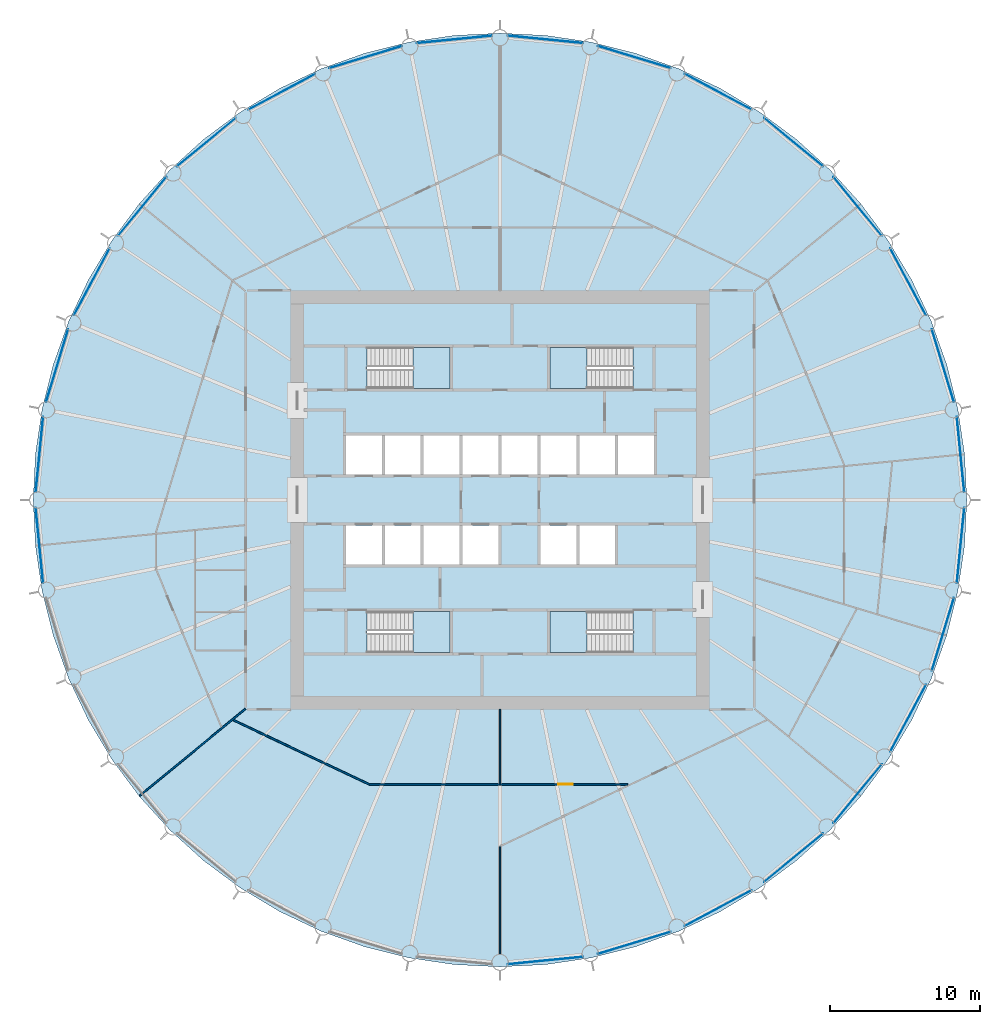
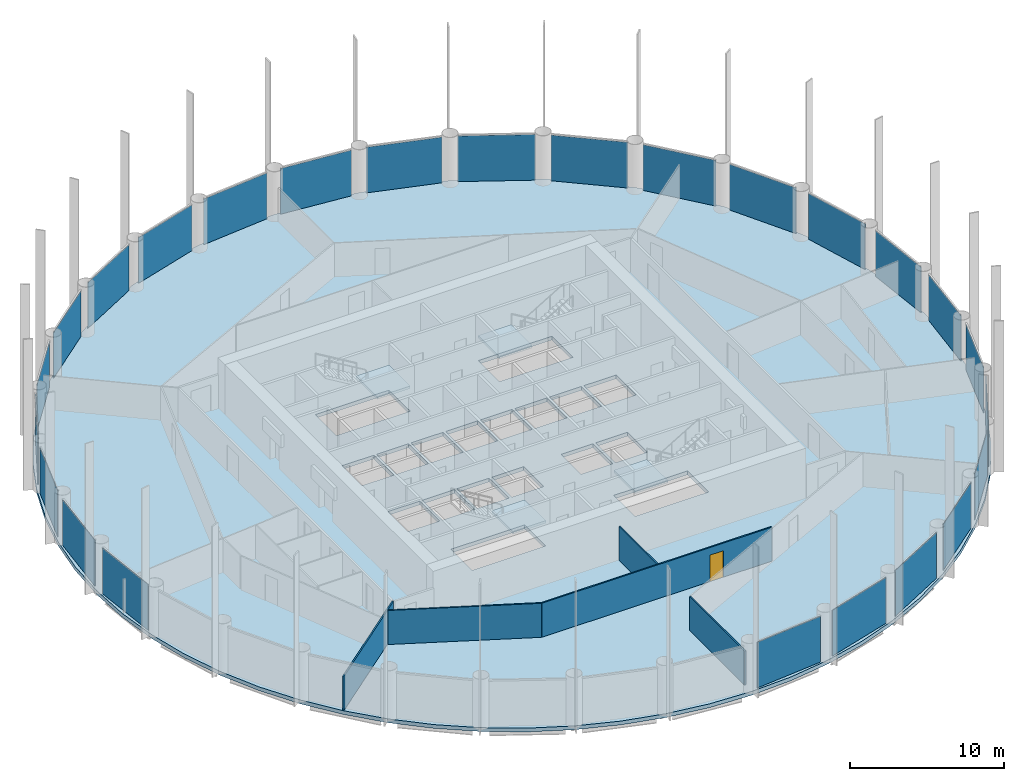
# One storey, part 3 of 8: 25 plates, 5 slabs, 5 walls, 1 door, 1 opening, 29 elements without a shape of their own.
"""IFC4 building model written with IfcOpenShell, lengths in metres."""

from ifc_helpers import new_model, si_unit, direction, frame, frame_2d, origin, origin_2d, place, context, subcontext, project, spatial, polyline, rectangle, outline, extrude, material, layer, layer_set, type_object, element, fill, aggregate, save


model = new_model("IFC4")

# Units and contexts
model_context = context("Model", 3, precision=1e-05, world=origin(), true_north=direction((0.0, 1.0)))
body_context = subcontext(model_context, "Body", "Model", "MODEL_VIEW")
ifc_project = project(units=[si_unit("LENGTHUNIT", "METRE"), si_unit("AREAUNIT", "SQUARE_METRE"), si_unit("VOLUMEUNIT", "CUBIC_METRE"), si_unit("PLANEANGLEUNIT", "RADIAN"), si_unit("MASSUNIT", "GRAM", prefix="KILO")], contexts=[model_context])

# Site, building, storey
site_placement = place(None, origin())
site = spatial("IfcSite", under=ifc_project, at=site_placement, CompositionType="ELEMENT")
building_placement = place(site_placement, origin())
building = spatial("IfcBuilding", under=site, at=building_placement, Name="Corvane Civic Tower", CompositionType="ELEMENT")
storey_placement = place(building_placement, frame((0.0, 0.0, 176.0)))
storey = spatial("IfcBuildingStorey", under=building, at=storey_placement, Name="L41", CompositionType="ELEMENT", Elevation=176.0)

# Slab
ifc_material_1 = material(Name="Concrete C40/50", Category="concrete")
ifc_layer_1 = layer(ifc_material_1, 0.300048828125)
ifc_layer_set_1 = layer_set([ifc_layer_1], Name="Concrete C40/50")
slab_type_1 = type_object("IfcSlabType", Name="FLOOR SLAB 300", PredefinedType="FLOOR", material=ifc_layer_set_1)
slab_1_placement = place(storey_placement, frame((0.0, 0.0, -0.300048828125)))
element("IfcSlab", 1, at=slab_1_placement, inside=storey, type_object=slab_type_1, Name="SLB-L41", PredefinedType="FLOOR", context=body_context, shape_type="SweptSolid", body=[
    extrude(outline(polyline([(0.0, 31.199951171875), (-3.05810546875, 31.0498046875), (-6.0869140625, 30.6005859375), (-9.056884765625, 29.8564453125), (-11.939697265625, 28.824951171875), (-14.70751953125, 27.515869140625), (-17.333740234375, 25.94189453125), (-19.79296875, 24.117919921875), (-22.061767578125, 22.061767578125), (-24.117919921875, 19.79296875), (-25.94189453125, 17.333740234375), (-27.515869140625, 14.70751953125), (-28.824951171875, 11.939697265625), (-29.8564453125, 9.056884765625), (-30.6005859375, 6.0869140625), (-31.0498046875, 3.05810546875), (-31.199951171875, 0.0), (-31.0498046875, -3.05810546875), (-30.6005859375, -6.0869140625), (-29.8564453125, -9.056884765625), (-28.824951171875, -11.939697265625), (-27.515869140625, -14.70751953125), (-25.94189453125, -17.333740234375), (-24.117919921875, -19.79296875), (-22.061767578125, -22.061767578125), (-19.79296875, -24.117919921875), (-17.333740234375, -25.94189453125), (-14.70751953125, -27.515869140625), (-11.939697265625, -28.824951171875), (-9.056884765625, -29.8564453125), (-6.0869140625, -30.6005859375), (-3.05810546875, -31.0498046875), (0.0, -31.199951171875), (3.05810546875, -31.0498046875), (6.0869140625, -30.6005859375), (9.056884765625, -29.8564453125), (11.939697265625, -28.824951171875), (14.70751953125, -27.515869140625), (17.333740234375, -25.94189453125), (19.79296875, -24.117919921875), (22.061767578125, -22.061767578125), (24.117919921875, -19.79296875), (25.94189453125, -17.333740234375), (27.515869140625, -14.70751953125), (28.824951171875, -11.939697265625), (29.8564453125, -9.056884765625), (30.6005859375, -6.0869140625), (31.0498046875, -3.05810546875), (31.199951171875, 0.0), (31.0498046875, 3.05810546875), (30.6005859375, 6.0869140625), (29.8564453125, 9.056884765625), (28.824951171875, 11.939697265625), (27.515869140625, 14.70751953125), (25.94189453125, 17.333740234375), (24.117919921875, 19.79296875), (22.061767578125, 22.061767578125), (19.79296875, 24.117919921875), (17.333740234375, 25.94189453125), (14.70751953125, 27.515869140625), (11.939697265625, 28.824951171875), (9.056884765625, 29.8564453125), (6.0869140625, 30.6005859375), (3.05810546875, 31.0498046875), (0.0, 31.199951171875)]), holes=[polyline([(-10.300048828125, 4.300048828125), (-7.89990234375, 4.300048828125), (-7.89990234375, 1.699951171875), (-10.300048828125, 1.699951171875), (-10.300048828125, 4.300048828125)]), polyline([(-7.699951171875, 4.300048828125), (-5.300048828125, 4.300048828125), (-5.300048828125, 1.699951171875), (-7.699951171875, 1.699951171875), (-7.699951171875, 4.300048828125)]), polyline([(-5.10009765625, 4.300048828125), (-2.699951171875, 4.300048828125), (-2.699951171875, 1.699951171875), (-5.10009765625, 1.699951171875), (-5.10009765625, 4.300048828125)]), polyline([(-0.10009765625, 1.699951171875), (-2.5, 1.699951171875), (-2.5, 4.300048828125), (-0.10009765625, 4.300048828125), (-0.10009765625, 1.699951171875)]), polyline([(2.5, 1.699951171875), (0.10009765625, 1.699951171875), (0.10009765625, 4.300048828125), (2.5, 4.300048828125), (2.5, 1.699951171875)]), polyline([(2.699951171875, 4.300048828125), (5.10009765625, 4.300048828125), (5.10009765625, 1.699951171875), (2.699951171875, 1.699951171875), (2.699951171875, 4.300048828125)]), polyline([(5.300048828125, 4.300048828125), (7.699951171875, 4.300048828125), (7.699951171875, 1.699951171875), (5.300048828125, 1.699951171875), (5.300048828125, 4.300048828125)]), polyline([(7.89990234375, 4.300048828125), (10.300048828125, 4.300048828125), (10.300048828125, 1.699951171875), (7.89990234375, 1.699951171875), (7.89990234375, 4.300048828125)]), polyline([(-7.89990234375, -1.699951171875), (-7.89990234375, -4.300048828125), (-10.300048828125, -4.300048828125), (-10.300048828125, -1.699951171875), (-7.89990234375, -1.699951171875)]), polyline([(-7.699951171875, -4.300048828125), (-7.699951171875, -1.699951171875), (-5.300048828125, -1.699951171875), (-5.300048828125, -4.300048828125), (-7.699951171875, -4.300048828125)]), polyline([(-5.10009765625, -4.300048828125), (-5.10009765625, -1.699951171875), (-2.699951171875, -1.699951171875), (-2.699951171875, -4.300048828125), (-5.10009765625, -4.300048828125)]), polyline([(-0.10009765625, -1.699951171875), (-0.10009765625, -4.300048828125), (-2.5, -4.300048828125), (-2.5, -1.699951171875), (-0.10009765625, -1.699951171875)]), polyline([(5.10009765625, -1.699951171875), (5.10009765625, -4.300048828125), (2.699951171875, -4.300048828125), (2.699951171875, -1.699951171875), (5.10009765625, -1.699951171875)]), polyline([(7.699951171875, -1.699951171875), (7.699951171875, -4.300048828125), (5.300048828125, -4.300048828125), (5.300048828125, -1.699951171875), (7.699951171875, -1.699951171875)]), polyline([(8.889892578125, 10.199951171875), (8.889892578125, 7.449951171875), (3.35009765625, 7.449951171875), (3.35009765625, 10.199951171875), (8.889892578125, 10.199951171875)]), polyline([(-8.889892578125, 7.449951171875), (-8.889892578125, 10.199951171875), (-3.35009765625, 10.199951171875), (-3.35009765625, 7.449951171875), (-8.889892578125, 7.449951171875)]), polyline([(8.889892578125, -7.449951171875), (8.889892578125, -10.199951171875), (3.35009765625, -10.199951171875), (3.35009765625, -7.449951171875), (8.889892578125, -7.449951171875)]), polyline([(-8.889892578125, -10.199951171875), (-8.889892578125, -7.449951171875), (-3.35009765625, -7.449951171875), (-3.35009765625, -10.199951171875), (-8.889892578125, -10.199951171875)])]), origin(), (0.0, 0.0, 1.0), 0.300048828125),
])

# Stair, slab
ifc_material_2 = material(Name="Concrete C40/50", Category="concrete")
stair_type = type_object("IfcStairType", Name="ST-STAIR-HALFTURN", PredefinedType="HALF_TURN_STAIR", material=ifc_material_2)
stair_1_placement = place(storey_placement, origin())
stair_1 = element("IfcStair", 2, at=stair_1_placement, inside=storey, type_object=stair_type, Name="L41 Exit stair ST1", PredefinedType="HALF_TURN_STAIR")
ifc_material_3 = material(Name="Concrete C40/50", Category="concrete")
ifc_layer_2 = layer(ifc_material_3, 0.199951171875)
ifc_layer_set_2 = layer_set([ifc_layer_2], Name="Concrete C40/50")
slab_type_2 = type_object("IfcSlabType", Name="ST-LANDING-RC", PredefinedType="LANDING", material=ifc_layer_set_2)
slab_2_placement = place(storey_placement, frame((0.0, 0.0, 1.800048828125)))
slab_2 = element("IfcSlab", 3, at=slab_2_placement, type_object=slab_type_2, Name="ST1 landing 1", PredefinedType="LANDING", context=body_context, shape_type="SweptSolid", body=[
    extrude(outline(polyline([(5.820068359375, 10.199951171875), (3.35009765625, 10.199951171875), (3.35009765625, 7.449951171875), (5.820068359375, 7.449951171875), (5.820068359375, 10.199951171875)])), origin(), (0.0, 0.0, 1.0), 0.199951171875),
])
aggregate(stair_1, [slab_2])

stair_2_placement = place(storey_placement, origin())
stair_2 = element("IfcStair", 4, at=stair_2_placement, inside=storey, type_object=stair_type, Name="L41 Exit stair ST2", PredefinedType="HALF_TURN_STAIR")
slab_3_placement = place(storey_placement, frame((0.0, 0.0, 1.800048828125)))
slab_3 = element("IfcSlab", 5, at=slab_3_placement, type_object=slab_type_2, Name="ST2 landing 1", PredefinedType="LANDING", context=body_context, shape_type="SweptSolid", body=[
    extrude(outline(polyline([(5.820068359375, -7.449951171875), (3.35009765625, -7.449951171875), (3.35009765625, -10.199951171875), (5.820068359375, -10.199951171875), (5.820068359375, -7.449951171875)])), origin(), (0.0, 0.0, 1.0), 0.199951171875),
])
aggregate(stair_2, [slab_3])

stair_3_placement = place(storey_placement, origin())
stair_3 = element("IfcStair", 6, at=stair_3_placement, inside=storey, type_object=stair_type, Name="L41 Exit stair ST3", PredefinedType="HALF_TURN_STAIR")
slab_4_placement = place(storey_placement, frame((0.0, 0.0, 1.800048828125)))
slab_4 = element("IfcSlab", 7, at=slab_4_placement, type_object=slab_type_2, Name="ST3 landing 1", PredefinedType="LANDING", context=body_context, shape_type="SweptSolid", body=[
    extrude(outline(polyline([(-5.820068359375, -10.199951171875), (-3.35009765625, -10.199951171875), (-3.35009765625, -7.449951171875), (-5.820068359375, -7.449951171875), (-5.820068359375, -10.199951171875)])), origin(), (0.0, 0.0, 1.0), 0.199951171875),
])
aggregate(stair_3, [slab_4])

stair_4_placement = place(storey_placement, origin())
stair_4 = element("IfcStair", 8, at=stair_4_placement, inside=storey, type_object=stair_type, Name="L41 Exit stair ST4", PredefinedType="HALF_TURN_STAIR")
slab_5_placement = place(storey_placement, frame((0.0, 0.0, 1.800048828125)))
slab_5 = element("IfcSlab", 9, at=slab_5_placement, type_object=slab_type_2, Name="ST4 landing 1", PredefinedType="LANDING", context=body_context, shape_type="SweptSolid", body=[
    extrude(outline(polyline([(-5.820068359375, 7.449951171875), (-3.35009765625, 7.449951171875), (-3.35009765625, 10.199951171875), (-5.820068359375, 10.199951171875), (-5.820068359375, 7.449951171875)])), origin(), (0.0, 0.0, 1.0), 0.199951171875),
])
aggregate(stair_4, [slab_5])

# Curtain wall, plate
ifc_material_4 = material(Name="Anodised aluminium bronze", Category="aluminium")
curtain_wall_type = type_object("IfcCurtainWallType", Name="TOWER CW-T2 STICK CURTAIN WALL", PredefinedType="NOTDEFINED", material=ifc_material_4)
curtain_wall_1_placement = place(storey_placement, origin())
curtain_wall_1 = element("IfcCurtainWall", 10, at=curtain_wall_1_placement, inside=storey, type_object=curtain_wall_type, Name="Curtain wall CW-T2 L41 bay 01", PredefinedType="NOTDEFINED")
ifc_material_5 = material(Name="Tinted glass", Category="glass")
ifc_layer_3 = layer(ifc_material_5, 0.031982421875)
ifc_layer_set_3 = layer_set([ifc_layer_3], Name="Tinted glass")
plate_type = type_object("IfcPlateType", Name="TOWER CW-T2 PANEL IGU32", PredefinedType="CURTAIN_PANEL", material=ifc_layer_set_3)
plate_1_placement = place(storey_placement, frame((3.03173828125, 30.781494140625, 0.0), z_axis=(0.0, 0.0, 1.0), x_axis=(0.995185244531, -0.098011882274, 0.0)))
plate_1 = element("IfcPlate", 11, at=plate_1_placement, type_object=plate_type, Name="Glass panel CW-T2 L41 01.1", PredefinedType="CURTAIN_PANEL", context=body_context, shape_type="SweptSolid", body=[
    extrude(rectangle(XDim=5.07763671875, YDim=0.031982421875, at=origin_2d()), origin(), (0.0, 0.0, 1.0), 3.6298828125),
])
aggregate(curtain_wall_1, [plate_1])

curtain_wall_2_placement = place(storey_placement, origin())
curtain_wall_2 = element("IfcCurtainWall", 12, at=curtain_wall_2_placement, inside=storey, type_object=curtain_wall_type, Name="Curtain wall CW-T2 L41 bay 02", PredefinedType="NOTDEFINED")
plate_2_placement = place(storey_placement, frame((8.978515625, 29.5986328125, 0.0), z_axis=(0.0, 0.0, 1.0), x_axis=(0.956931677007, -0.290313219714, 0.0)))
plate_2 = element("IfcPlate", 13, at=plate_2_placement, type_object=plate_type, Name="Glass panel CW-T2 L41 02.1", PredefinedType="CURTAIN_PANEL", context=body_context, shape_type="SweptSolid", body=[
    extrude(rectangle(XDim=5.077392578125, YDim=0.031982421875, at=origin_2d()), origin(), (0.0, 0.0, 1.0), 3.6298828125),
])
aggregate(curtain_wall_2, [plate_2])

curtain_wall_3_placement = place(storey_placement, origin())
curtain_wall_3 = element("IfcCurtainWall", 14, at=curtain_wall_3_placement, inside=storey, type_object=curtain_wall_type, Name="Curtain wall CW-T2 L41 bay 03", PredefinedType="NOTDEFINED")
plate_3_placement = place(storey_placement, frame((14.58056640625, 27.278076171875, 0.0), z_axis=(0.0, 0.0, 1.0), x_axis=(0.881922190434, -0.471395004238, 0.0)))
plate_3 = element("IfcPlate", 15, at=plate_3_placement, type_object=plate_type, Name="Glass panel CW-T2 L41 03.1", PredefinedType="CURTAIN_PANEL", context=body_context, shape_type="SweptSolid", body=[
    extrude(rectangle(XDim=5.077392578125, YDim=0.031982421875, at=origin_2d()), origin(), (0.0, 0.0, 1.0), 3.6298828125),
])
aggregate(curtain_wall_3, [plate_3])

curtain_wall_4_placement = place(storey_placement, origin())
curtain_wall_4 = element("IfcCurtainWall", 16, at=curtain_wall_4_placement, inside=storey, type_object=curtain_wall_type, Name="Curtain wall CW-T2 L41 bay 04", PredefinedType="NOTDEFINED")
plate_4_placement = place(storey_placement, frame((19.6220703125, 23.909423828125, 0.0), z_axis=(0.0, 0.0, 1.0), x_axis=(0.773004844196, -0.634400118891, 0.0)))
plate_4 = element("IfcPlate", 17, at=plate_4_placement, type_object=plate_type, Name="Glass panel CW-T2 L41 04.1", PredefinedType="CURTAIN_PANEL", context=body_context, shape_type="SweptSolid", body=[
    extrude(rectangle(XDim=5.0771484375, YDim=0.031982421875, at=origin_2d()), origin(), (0.0, 0.0, 1.0), 3.6298828125),
])
aggregate(curtain_wall_4, [plate_4])

curtain_wall_5_placement = place(storey_placement, origin())
curtain_wall_5 = element("IfcCurtainWall", 18, at=curtain_wall_5_placement, inside=storey, type_object=curtain_wall_type, Name="Curtain wall CW-T2 L41 bay 05", PredefinedType="NOTDEFINED")
plate_5_placement = place(storey_placement, frame((23.909423828125, 19.6220703125, 0.0), z_axis=(0.0, 0.0, 1.0), x_axis=(0.634400118891, -0.773004844196, 0.0)))
plate_5 = element("IfcPlate", 19, at=plate_5_placement, type_object=plate_type, Name="Glass panel CW-T2 L41 05.1", PredefinedType="CURTAIN_PANEL", context=body_context, shape_type="SweptSolid", body=[
    extrude(rectangle(XDim=5.0771484375, YDim=0.031982421875, at=origin_2d()), origin(), (0.0, 0.0, 1.0), 3.6298828125),
])
aggregate(curtain_wall_5, [plate_5])

curtain_wall_6_placement = place(storey_placement, origin())
curtain_wall_6 = element("IfcCurtainWall", 20, at=curtain_wall_6_placement, inside=storey, type_object=curtain_wall_type, Name="Curtain wall CW-T2 L41 bay 06", PredefinedType="NOTDEFINED")
plate_6_placement = place(storey_placement, frame((27.278076171875, 14.58056640625, 0.0), z_axis=(0.0, 0.0, 1.0), x_axis=(0.471395004238, -0.881922190434, 0.0)))
plate_6 = element("IfcPlate", 21, at=plate_6_placement, type_object=plate_type, Name="Glass panel CW-T2 L41 06.1", PredefinedType="CURTAIN_PANEL", context=body_context, shape_type="SweptSolid", body=[
    extrude(rectangle(XDim=5.077392578125, YDim=0.031982421875, at=origin_2d()), origin(), (0.0, 0.0, 1.0), 3.6298828125),
])
aggregate(curtain_wall_6, [plate_6])

curtain_wall_7_placement = place(storey_placement, origin())
curtain_wall_7 = element("IfcCurtainWall", 22, at=curtain_wall_7_placement, inside=storey, type_object=curtain_wall_type, Name="Curtain wall CW-T2 L41 bay 07", PredefinedType="NOTDEFINED")
plate_7_placement = place(storey_placement, frame((29.5986328125, 8.978515625, 0.0), z_axis=(0.0, 0.0, 1.0), x_axis=(0.290313219714, -0.956931677007, 0.0)))
plate_7 = element("IfcPlate", 23, at=plate_7_placement, type_object=plate_type, Name="Glass panel CW-T2 L41 07.1", PredefinedType="CURTAIN_PANEL", context=body_context, shape_type="SweptSolid", body=[
    extrude(rectangle(XDim=5.077392578125, YDim=0.031982421875, at=origin_2d()), origin(), (0.0, 0.0, 1.0), 3.6298828125),
])
aggregate(curtain_wall_7, [plate_7])

curtain_wall_8_placement = place(storey_placement, origin())
curtain_wall_8 = element("IfcCurtainWall", 24, at=curtain_wall_8_placement, inside=storey, type_object=curtain_wall_type, Name="Curtain wall CW-T2 L41 bay 08", PredefinedType="NOTDEFINED")
plate_8_placement = place(storey_placement, frame((30.781494140625, 3.03173828125, 0.0), z_axis=(0.0, 0.0, 1.0), x_axis=(0.098011882274, -0.995185244531, 0.0)))
plate_8 = element("IfcPlate", 25, at=plate_8_placement, type_object=plate_type, Name="Glass panel CW-T2 L41 08.1", PredefinedType="CURTAIN_PANEL", context=body_context, shape_type="SweptSolid", body=[
    extrude(rectangle(XDim=5.07763671875, YDim=0.031982421875, at=origin_2d()), origin(), (0.0, 0.0, 1.0), 3.6298828125),
])
aggregate(curtain_wall_8, [plate_8])

curtain_wall_9_placement = place(storey_placement, origin())
curtain_wall_9 = element("IfcCurtainWall", 26, at=curtain_wall_9_placement, inside=storey, type_object=curtain_wall_type, Name="Curtain wall CW-T2 L41 bay 09", PredefinedType="NOTDEFINED")
plate_9_placement = place(storey_placement, frame((30.781494140625, -3.03173828125, 0.0), z_axis=(0.0, 0.0, 1.0), x_axis=(-0.098011882274, -0.995185244531, 0.0)))
plate_9 = element("IfcPlate", 27, at=plate_9_placement, type_object=plate_type, Name="Glass panel CW-T2 L41 09.1", PredefinedType="CURTAIN_PANEL", context=body_context, shape_type="SweptSolid", body=[
    extrude(rectangle(XDim=5.07763671875, YDim=0.031982421875, at=origin_2d()), origin(), (0.0, 0.0, 1.0), 3.6298828125),
])
aggregate(curtain_wall_9, [plate_9])

curtain_wall_10_placement = place(storey_placement, origin())
curtain_wall_10 = element("IfcCurtainWall", 28, at=curtain_wall_10_placement, inside=storey, type_object=curtain_wall_type, Name="Curtain wall CW-T2 L41 bay 10", PredefinedType="NOTDEFINED")
plate_10_placement = place(storey_placement, frame((29.5986328125, -8.978515625, 0.0), z_axis=(0.0, 0.0, 1.0), x_axis=(-0.290313219714, -0.956931677007, 0.0)))
plate_10 = element("IfcPlate", 29, at=plate_10_placement, type_object=plate_type, Name="Glass panel CW-T2 L41 10.1", PredefinedType="CURTAIN_PANEL", context=body_context, shape_type="SweptSolid", body=[
    extrude(rectangle(XDim=5.077392578125, YDim=0.031982421875, at=origin_2d()), origin(), (0.0, 0.0, 1.0), 3.6298828125),
])
aggregate(curtain_wall_10, [plate_10])

curtain_wall_11_placement = place(storey_placement, origin())
curtain_wall_11 = element("IfcCurtainWall", 30, at=curtain_wall_11_placement, inside=storey, type_object=curtain_wall_type, Name="Curtain wall CW-T2 L41 bay 11", PredefinedType="NOTDEFINED")
plate_11_placement = place(storey_placement, frame((27.278076171875, -14.58056640625, 0.0), z_axis=(0.0, 0.0, 1.0), x_axis=(-0.471395004238, -0.881922190434, 0.0)))
plate_11 = element("IfcPlate", 31, at=plate_11_placement, type_object=plate_type, Name="Glass panel CW-T2 L41 11.1", PredefinedType="CURTAIN_PANEL", context=body_context, shape_type="SweptSolid", body=[
    extrude(rectangle(XDim=5.077392578125, YDim=0.031982421875, at=origin_2d()), origin(), (0.0, 0.0, 1.0), 3.6298828125),
])
aggregate(curtain_wall_11, [plate_11])

curtain_wall_12_placement = place(storey_placement, origin())
curtain_wall_12 = element("IfcCurtainWall", 32, at=curtain_wall_12_placement, inside=storey, type_object=curtain_wall_type, Name="Curtain wall CW-T2 L41 bay 12", PredefinedType="NOTDEFINED")
plate_12_placement = place(storey_placement, frame((23.909423828125, -19.6220703125, 0.0), z_axis=(0.0, 0.0, 1.0), x_axis=(-0.634400118891, -0.773004844196, 0.0)))
plate_12 = element("IfcPlate", 33, at=plate_12_placement, type_object=plate_type, Name="Glass panel CW-T2 L41 12.1", PredefinedType="CURTAIN_PANEL", context=body_context, shape_type="SweptSolid", body=[
    extrude(rectangle(XDim=5.0771484375, YDim=0.031982421875, at=origin_2d()), origin(), (0.0, 0.0, 1.0), 3.6298828125),
])
aggregate(curtain_wall_12, [plate_12])

curtain_wall_13_placement = place(storey_placement, origin())
curtain_wall_13 = element("IfcCurtainWall", 34, at=curtain_wall_13_placement, inside=storey, type_object=curtain_wall_type, Name="Curtain wall CW-T2 L41 bay 13", PredefinedType="NOTDEFINED")
plate_13_placement = place(storey_placement, frame((19.6220703125, -23.909423828125, 0.0), z_axis=(0.0, 0.0, 1.0), x_axis=(-0.773004844196, -0.634400118891, 0.0)))
plate_13 = element("IfcPlate", 35, at=plate_13_placement, type_object=plate_type, Name="Glass panel CW-T2 L41 13.1", PredefinedType="CURTAIN_PANEL", context=body_context, shape_type="SweptSolid", body=[
    extrude(rectangle(XDim=5.0771484375, YDim=0.031982421875, at=origin_2d()), origin(), (0.0, 0.0, 1.0), 3.6298828125),
])
aggregate(curtain_wall_13, [plate_13])

curtain_wall_14_placement = place(storey_placement, origin())
curtain_wall_14 = element("IfcCurtainWall", 36, at=curtain_wall_14_placement, inside=storey, type_object=curtain_wall_type, Name="Curtain wall CW-T2 L41 bay 14", PredefinedType="NOTDEFINED")
plate_14_placement = place(storey_placement, frame((14.58056640625, -27.278076171875, 0.0), z_axis=(0.0, 0.0, 1.0), x_axis=(-0.881922190434, -0.471395004238, 0.0)))
plate_14 = element("IfcPlate", 37, at=plate_14_placement, type_object=plate_type, Name="Glass panel CW-T2 L41 14.1", PredefinedType="CURTAIN_PANEL", context=body_context, shape_type="SweptSolid", body=[
    extrude(rectangle(XDim=5.077392578125, YDim=0.031982421875, at=origin_2d()), origin(), (0.0, 0.0, 1.0), 3.6298828125),
])
aggregate(curtain_wall_14, [plate_14])

curtain_wall_15_placement = place(storey_placement, origin())
curtain_wall_15 = element("IfcCurtainWall", 38, at=curtain_wall_15_placement, inside=storey, type_object=curtain_wall_type, Name="Curtain wall CW-T2 L41 bay 15", PredefinedType="NOTDEFINED")
plate_15_placement = place(storey_placement, frame((8.978515625, -29.5986328125, 0.0), z_axis=(0.0, 0.0, 1.0), x_axis=(-0.956931677007, -0.290313219714, 0.0)))
plate_15 = element("IfcPlate", 39, at=plate_15_placement, type_object=plate_type, Name="Glass panel CW-T2 L41 15.1", PredefinedType="CURTAIN_PANEL", context=body_context, shape_type="SweptSolid", body=[
    extrude(rectangle(XDim=5.077392578125, YDim=0.031982421875, at=origin_2d()), origin(), (0.0, 0.0, 1.0), 3.6298828125),
])
aggregate(curtain_wall_15, [plate_15])

curtain_wall_16_placement = place(storey_placement, origin())
curtain_wall_16 = element("IfcCurtainWall", 40, at=curtain_wall_16_placement, inside=storey, type_object=curtain_wall_type, Name="Curtain wall CW-T2 L41 bay 16", PredefinedType="NOTDEFINED")
plate_16_placement = place(storey_placement, frame((3.03173828125, -30.781494140625, 0.0), z_axis=(0.0, 0.0, 1.0), x_axis=(-0.995185244531, -0.098011882274, 0.0)))
plate_16 = element("IfcPlate", 41, at=plate_16_placement, type_object=plate_type, Name="Glass panel CW-T2 L41 16.1", PredefinedType="CURTAIN_PANEL", context=body_context, shape_type="SweptSolid", body=[
    extrude(rectangle(XDim=5.07763671875, YDim=0.031982421875, at=origin_2d()), origin(), (0.0, 0.0, 1.0), 3.6298828125),
])
aggregate(curtain_wall_16, [plate_16])

curtain_wall_17_placement = place(storey_placement, origin())
curtain_wall_17 = element("IfcCurtainWall", 42, at=curtain_wall_17_placement, inside=storey, type_object=curtain_wall_type, Name="Curtain wall CW-T2 L41 bay 24", PredefinedType="NOTDEFINED")
plate_17_placement = place(storey_placement, frame((-30.781494140625, -3.03173828125, 0.0), z_axis=(0.0, 0.0, 1.0), x_axis=(-0.098011882274, 0.995185244531, 0.0)))
plate_17 = element("IfcPlate", 43, at=plate_17_placement, type_object=plate_type, Name="Glass panel CW-T2 L41 24.1", PredefinedType="CURTAIN_PANEL", context=body_context, shape_type="SweptSolid", body=[
    extrude(rectangle(XDim=5.07763671875, YDim=0.031982421875, at=origin_2d()), origin(), (0.0, 0.0, 1.0), 3.6298828125),
])
aggregate(curtain_wall_17, [plate_17])

curtain_wall_18_placement = place(storey_placement, origin())
curtain_wall_18 = element("IfcCurtainWall", 44, at=curtain_wall_18_placement, inside=storey, type_object=curtain_wall_type, Name="Curtain wall CW-T2 L41 bay 25", PredefinedType="NOTDEFINED")
plate_18_placement = place(storey_placement, frame((-30.781494140625, 3.03173828125, 0.0), z_axis=(0.0, 0.0, 1.0), x_axis=(0.098011882274, 0.995185244531, 0.0)))
plate_18 = element("IfcPlate", 45, at=plate_18_placement, type_object=plate_type, Name="Glass panel CW-T2 L41 25.1", PredefinedType="CURTAIN_PANEL", context=body_context, shape_type="SweptSolid", body=[
    extrude(rectangle(XDim=5.07763671875, YDim=0.031982421875, at=origin_2d()), origin(), (0.0, 0.0, 1.0), 3.6298828125),
])
aggregate(curtain_wall_18, [plate_18])

curtain_wall_19_placement = place(storey_placement, origin())
curtain_wall_19 = element("IfcCurtainWall", 46, at=curtain_wall_19_placement, inside=storey, type_object=curtain_wall_type, Name="Curtain wall CW-T2 L41 bay 26", PredefinedType="NOTDEFINED")
plate_19_placement = place(storey_placement, frame((-29.5986328125, 8.978515625, 0.0), z_axis=(0.0, 0.0, 1.0), x_axis=(0.290313219714, 0.956931677007, 0.0)))
plate_19 = element("IfcPlate", 47, at=plate_19_placement, type_object=plate_type, Name="Glass panel CW-T2 L41 26.1", PredefinedType="CURTAIN_PANEL", context=body_context, shape_type="SweptSolid", body=[
    extrude(rectangle(XDim=5.077392578125, YDim=0.031982421875, at=origin_2d()), origin(), (0.0, 0.0, 1.0), 3.6298828125),
])
aggregate(curtain_wall_19, [plate_19])

curtain_wall_20_placement = place(storey_placement, origin())
curtain_wall_20 = element("IfcCurtainWall", 48, at=curtain_wall_20_placement, inside=storey, type_object=curtain_wall_type, Name="Curtain wall CW-T2 L41 bay 27", PredefinedType="NOTDEFINED")
plate_20_placement = place(storey_placement, frame((-27.278076171875, 14.58056640625, 0.0), z_axis=(0.0, 0.0, 1.0), x_axis=(0.471395004238, 0.881922190434, 0.0)))
plate_20 = element("IfcPlate", 49, at=plate_20_placement, type_object=plate_type, Name="Glass panel CW-T2 L41 27.1", PredefinedType="CURTAIN_PANEL", context=body_context, shape_type="SweptSolid", body=[
    extrude(rectangle(XDim=5.077392578125, YDim=0.031982421875, at=origin_2d()), origin(), (0.0, 0.0, 1.0), 3.6298828125),
])
aggregate(curtain_wall_20, [plate_20])

curtain_wall_21_placement = place(storey_placement, origin())
curtain_wall_21 = element("IfcCurtainWall", 50, at=curtain_wall_21_placement, inside=storey, type_object=curtain_wall_type, Name="Curtain wall CW-T2 L41 bay 28", PredefinedType="NOTDEFINED")
plate_21_placement = place(storey_placement, frame((-23.909423828125, 19.6220703125, 0.0), z_axis=(0.0, 0.0, 1.0), x_axis=(0.634400118891, 0.773004844196, 0.0)))
plate_21 = element("IfcPlate", 51, at=plate_21_placement, type_object=plate_type, Name="Glass panel CW-T2 L41 28.1", PredefinedType="CURTAIN_PANEL", context=body_context, shape_type="SweptSolid", body=[
    extrude(rectangle(XDim=5.0771484375, YDim=0.031982421875, at=origin_2d()), origin(), (0.0, 0.0, 1.0), 3.6298828125),
])
aggregate(curtain_wall_21, [plate_21])

curtain_wall_22_placement = place(storey_placement, origin())
curtain_wall_22 = element("IfcCurtainWall", 52, at=curtain_wall_22_placement, inside=storey, type_object=curtain_wall_type, Name="Curtain wall CW-T2 L41 bay 29", PredefinedType="NOTDEFINED")
plate_22_placement = place(storey_placement, frame((-19.6220703125, 23.909423828125, 0.0), z_axis=(0.0, 0.0, 1.0), x_axis=(0.773004844196, 0.634400118891, 0.0)))
plate_22 = element("IfcPlate", 53, at=plate_22_placement, type_object=plate_type, Name="Glass panel CW-T2 L41 29.1", PredefinedType="CURTAIN_PANEL", context=body_context, shape_type="SweptSolid", body=[
    extrude(rectangle(XDim=5.0771484375, YDim=0.031982421875, at=origin_2d()), origin(), (0.0, 0.0, 1.0), 3.6298828125),
])
aggregate(curtain_wall_22, [plate_22])

curtain_wall_23_placement = place(storey_placement, origin())
curtain_wall_23 = element("IfcCurtainWall", 54, at=curtain_wall_23_placement, inside=storey, type_object=curtain_wall_type, Name="Curtain wall CW-T2 L41 bay 30", PredefinedType="NOTDEFINED")
plate_23_placement = place(storey_placement, frame((-14.58056640625, 27.278076171875, 0.0), z_axis=(0.0, 0.0, 1.0), x_axis=(0.881922190434, 0.471395004238, 0.0)))
plate_23 = element("IfcPlate", 55, at=plate_23_placement, type_object=plate_type, Name="Glass panel CW-T2 L41 30.1", PredefinedType="CURTAIN_PANEL", context=body_context, shape_type="SweptSolid", body=[
    extrude(rectangle(XDim=5.077392578125, YDim=0.031982421875, at=origin_2d()), origin(), (0.0, 0.0, 1.0), 3.6298828125),
])
aggregate(curtain_wall_23, [plate_23])

curtain_wall_24_placement = place(storey_placement, origin())
curtain_wall_24 = element("IfcCurtainWall", 56, at=curtain_wall_24_placement, inside=storey, type_object=curtain_wall_type, Name="Curtain wall CW-T2 L41 bay 31", PredefinedType="NOTDEFINED")
plate_24_placement = place(storey_placement, frame((-8.978515625, 29.5986328125, 0.0), z_axis=(0.0, 0.0, 1.0), x_axis=(0.956931677007, 0.290313219714, 0.0)))
plate_24 = element("IfcPlate", 57, at=plate_24_placement, type_object=plate_type, Name="Glass panel CW-T2 L41 31.1", PredefinedType="CURTAIN_PANEL", context=body_context, shape_type="SweptSolid", body=[
    extrude(rectangle(XDim=5.077392578125, YDim=0.031982421875, at=origin_2d()), origin(), (0.0, 0.0, 1.0), 3.6298828125),
])
aggregate(curtain_wall_24, [plate_24])

curtain_wall_25_placement = place(storey_placement, origin())
curtain_wall_25 = element("IfcCurtainWall", 58, at=curtain_wall_25_placement, inside=storey, type_object=curtain_wall_type, Name="Curtain wall CW-T2 L41 bay 32", PredefinedType="NOTDEFINED")
plate_25_placement = place(storey_placement, frame((-3.03173828125, 30.781494140625, 0.0), z_axis=(0.0, 0.0, 1.0), x_axis=(0.995185244531, 0.098011882274, 0.0)))
plate_25 = element("IfcPlate", 59, at=plate_25_placement, type_object=plate_type, Name="Glass panel CW-T2 L41 32.1", PredefinedType="CURTAIN_PANEL", context=body_context, shape_type="SweptSolid", body=[
    extrude(rectangle(XDim=5.07763671875, YDim=0.031982421875, at=origin_2d()), origin(), (0.0, 0.0, 1.0), 3.6298828125),
])
aggregate(curtain_wall_25, [plate_25])

# Walls
ifc_material_6 = material(Name="Plasterboard")
ifc_layer_4 = layer(ifc_material_6, 0.10009765625)
ifc_layer_set_4 = layer_set([ifc_layer_4], Name="Plasterboard")
wall_type = type_object("IfcWallType", Name="Partition 100 plasterboard on studs", PredefinedType="PARTITIONING", material=ifc_layer_set_4)
wall_1_placement = place(storey_placement, frame((0.0, -30.33984375, 0.0), z_axis=(0.0, 0.0, 1.0), x_axis=(0.0, 1.0, 0.0)))
element("IfcWall", 60, at=wall_1_placement, inside=storey, type_object=wall_type, Name="Partition L41.001", PredefinedType="PARTITIONING", context=body_context, shape_type="SweptSolid", body=[
    extrude(rectangle(XDim=7.167724609375, YDim=0.10009765625, at=frame_2d((3.583984375, 0.0))), origin(), (0.0, 0.0, 1.0), 2.699951171875),
])
wall_2_placement = place(storey_placement, frame((-24.079345703125, -19.761474609375, 0.0), z_axis=(0.0, 0.0, 1.0), x_axis=(0.773006154143, 0.634398522742, 0.0)))
element("IfcWall", 61, at=wall_2_placement, inside=storey, type_object=wall_type, Name="Partition L41.003", PredefinedType="PARTITIONING", context=body_context, shape_type="SweptSolid", body=[
    extrude(rectangle(XDim=9.134521484375, YDim=0.10009765625, at=frame_2d((4.5673828125, 0.0))), origin(), (0.0, 0.0, 1.0), 2.699951171875),
])
wall_3_placement = place(storey_placement, frame((-17.81640625, -14.714111328125, 0.0), z_axis=(0.0, 0.0, 1.0), x_axis=(0.903995343441, -0.427542300875, 0.0)))
element("IfcWall", 62, at=wall_3_placement, inside=storey, type_object=wall_type, Name="Partition L41.005", PredefinedType="PARTITIONING", context=body_context, shape_type="SweptSolid", body=[
    extrude(rectangle(XDim=10.012939453125, YDim=0.10009765625, at=frame_2d((5.00634765625, 0.0))), origin(), (0.0, 0.0, 1.0), 2.699951171875),
])

# Wall, opening, door
wall_4_placement = place(storey_placement, frame((-8.7431640625, -19.0, 0.0), z_axis=(0.0, 0.0, 1.0), x_axis=(1.0, 0.0, 0.0)))
wall_4 = element("IfcWall", 63, at=wall_4_placement, inside=storey, type_object=wall_type, Name="Partition L41.006", PredefinedType="PARTITIONING", context=body_context, shape_type="SweptSolid", body=[
    extrude(rectangle(XDim=17.27490234375, YDim=0.10009765625, at=frame_2d((8.637451171875, 0.0))), origin(), (0.0, 0.0, 1.0), 2.699951171875),
])
opening_placement = place(wall_4_placement, frame((12.620361328125, 0.0, 0.0)))
opening = element("IfcOpeningElement", 64, at=opening_placement, cuts=wall_4, Name="Opening L41.007", PredefinedType="OPENING", context=body_context, shape_type="SweptSolid", body=[
    extrude(rectangle(XDim=1.0, YDim=2.10009765625, at=frame_2d((0.5, 1.050048828125))), frame((0.0, 0.06005859375, 0.0), z_axis=(0.0, -1.0, 0.0), x_axis=(1.0, 0.0, 0.0)), (0.0, 0.0, 1.0), 0.1201171875),
])
ifc_material_7 = material(Name="Timber", Category="wood")
door_type = type_object("IfcDoorType", Name="Single door 1000", OperationType="NOTDEFINED", PredefinedType="DOOR", material=ifc_material_7)
door_placement = place(opening_placement, frame((1.0, 0.0, 0.0), z_axis=(0.0, 0.0, 1.0), x_axis=(-1.0, 0.0, 0.0)))
door = element("IfcDoor", 65, at=door_placement, inside=storey, type_object=door_type, Name="Door L41.007", OperationType="SINGLE_SWING_LEFT", OverallHeight=2.10009765625, OverallWidth=1.0, PredefinedType="DOOR", context=body_context, shape_type="SweptSolid", body=[
    extrude(rectangle(XDim=1.0, YDim=2.10009765625, at=frame_2d((0.5, 1.050048828125))), frame((0.0, 0.02490234375, 0.0), z_axis=(0.0, -1.0, 0.0), x_axis=(1.0, 0.0, 0.0)), (0.0, 0.0, 1.0), 0.050048828125),
])
fill(opening, door)

# Wall
wall_5_placement = place(storey_placement, frame((0.0, -18.949951171875, 0.0), z_axis=(0.0, 0.0, 1.0), x_axis=(0.0, 1.0, 0.0)))
element("IfcWall", 66, at=wall_5_placement, inside=storey, type_object=wall_type, Name="Partition L41.007", PredefinedType="PARTITIONING", context=body_context, shape_type="SweptSolid", body=[
    extrude(rectangle(XDim=4.949951171875, YDim=0.10009765625, at=frame_2d((2.47509765625, 0.0))), origin(), (0.0, 0.0, 1.0), 2.699951171875),
])

save(model, "model.ifc")
